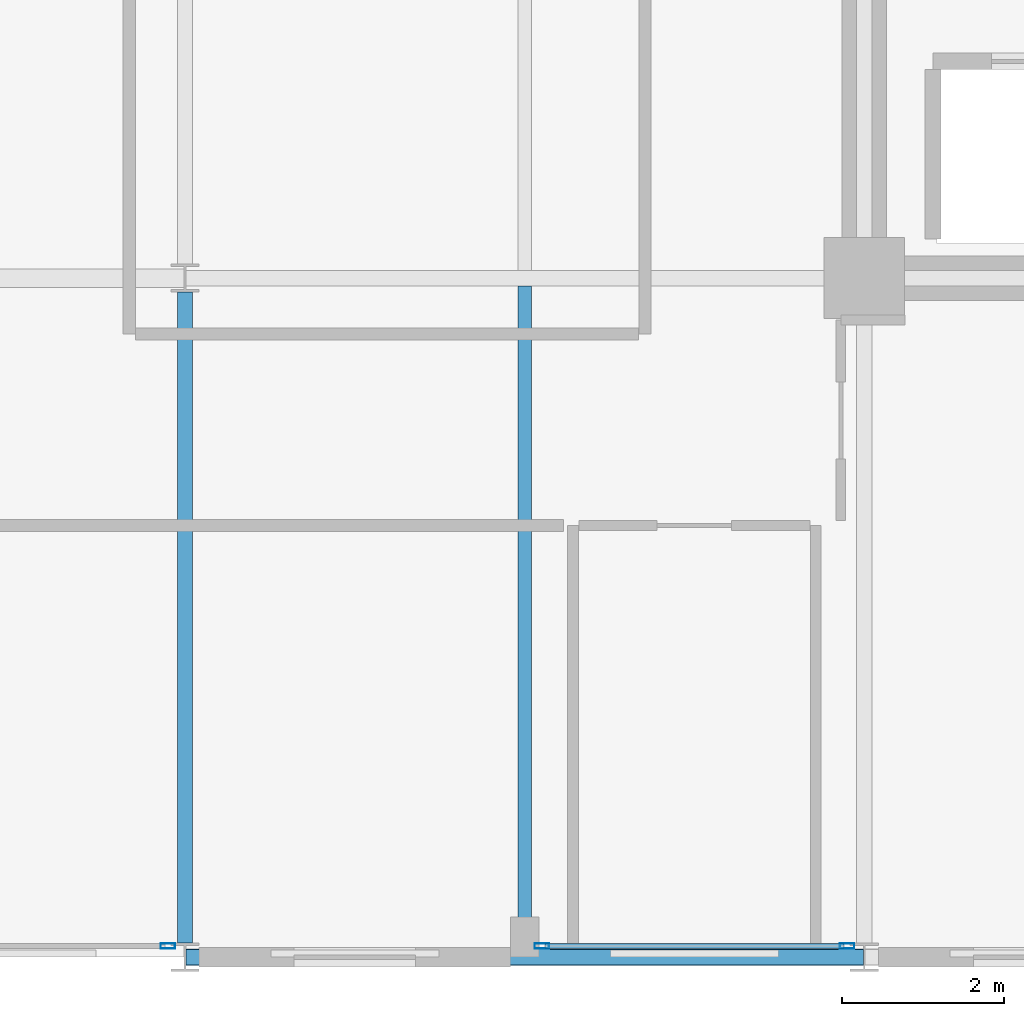
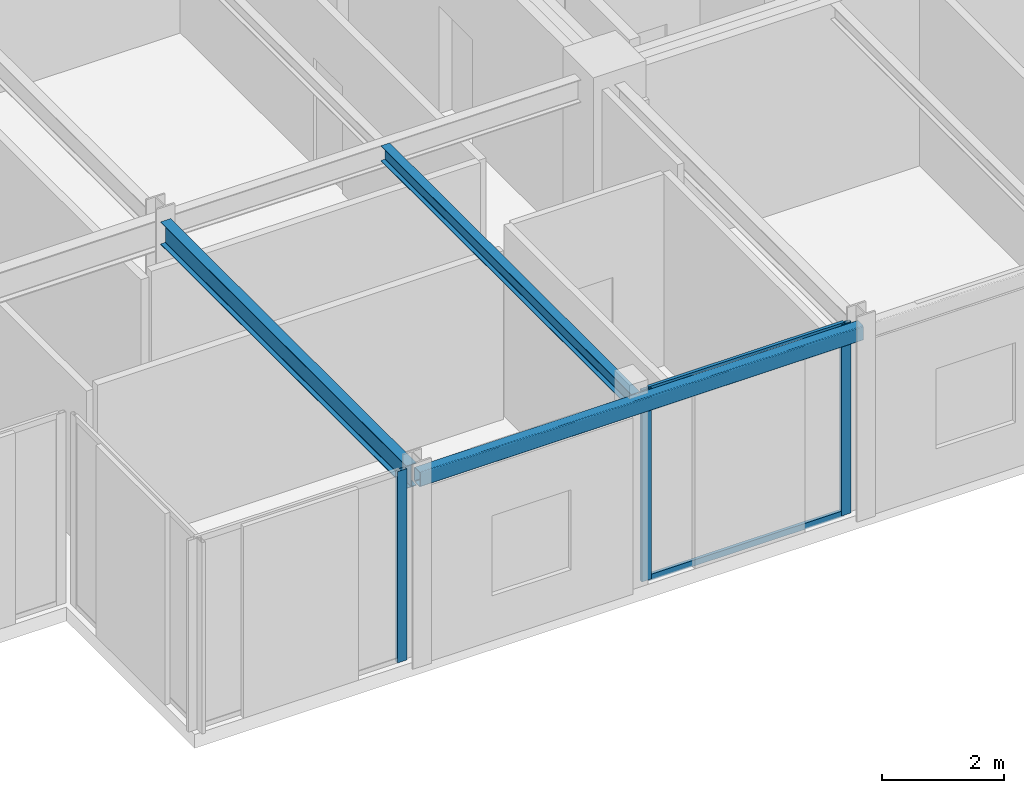
# One storey, part 6 of 29: 5 members, 3 beams, 2 elements without a shape of their own.
"""IFC4 building model written with IfcOpenShell, lengths in metres."""

from ifc_helpers import new_model, si_unit, direction, frame, origin, origin_2d, place, context, subcontext, project, spatial, hollow_rectangle, i_section, extrude, material, layer, layer_set, material_profile, profile_set, type_object, element, aggregate, save


model = new_model("IFC4")

# Units and contexts
model_context = context("Model", 3, precision=1e-05, world=origin(), true_north=direction((0.0, 1.0)))
body_context = subcontext(model_context, "Body", "Model", "MODEL_VIEW")
ifc_project = project(units=[si_unit("LENGTHUNIT", "METRE"), si_unit("AREAUNIT", "SQUARE_METRE"), si_unit("VOLUMEUNIT", "CUBIC_METRE"), si_unit("PLANEANGLEUNIT", "RADIAN"), si_unit("MASSUNIT", "GRAM", prefix="KILO")], contexts=[model_context])

# Site, building, storey
site_placement = place(None, origin())
site = spatial("IfcSite", under=ifc_project, at=site_placement, CompositionType="ELEMENT")
building_placement = place(site_placement, origin())
building = spatial("IfcBuilding", under=site, at=building_placement, Name="Nerrivon Quay Data Exchange", CompositionType="ELEMENT")
storey_placement = place(building_placement, frame((0.0, 0.0, 208.300048828125)))
storey = spatial("IfcBuildingStorey", under=building, at=storey_placement, Name="L49", CompositionType="ELEMENT", Elevation=208.300048828125)

# Beams
ifc_material_1 = material(Name="Steel Grade 350", Category="steel")
ifc_material_profile_1 = material_profile(ifc_material_1, i_section(OverallWidth=0.18994140625, OverallDepth=0.4541015625, WebThickness=0.008544921875, FlangeThickness=0.0126953125, FilletRadius=0.011474609375, at=origin_2d()), Name="460UB67.1")
ifc_profile_set_1 = profile_set([ifc_material_profile_1], Name="Steel Grade 350")
beam_type_1 = type_object("IfcBeamType", Name="BM-G6-460UB67", PredefinedType="BEAM", material=ifc_profile_set_1)
beam_1_placement = place(storey_placement, frame((8.39990234375, 0.175048828125, 3.597900390625), z_axis=(0.0, 1.0, 0.0), x_axis=(-1.0, 0.0, 0.0)))
element("IfcBeam", 1, at=beam_1_placement, inside=storey, type_object=beam_type_1, Name="L49 NS Girder X=8.4 (0.0..8.4)", PredefinedType="BEAM", context=body_context, shape_type="SweptSolid", body=[
    extrude(i_section(OverallWidth=0.18994140625, OverallDepth=0.4541015625, WebThickness=0.008544921875, FlangeThickness=0.0126953125, FilletRadius=0.011474609375, at=origin_2d()), origin(), (0.0, 0.0, 1.0), 8.050048828125),
])
ifc_material_profile_2 = material_profile(ifc_material_1, i_section(OverallWidth=0.166015625, OverallDepth=0.306884765625, WebThickness=0.006591796875, FlangeThickness=0.01171875, FilletRadius=0.011474609375, at=origin_2d()), Name="310UB46.2")
ifc_profile_set_2 = profile_set([ifc_material_profile_2], Name="Steel Grade 350")
beam_type_2 = type_object("IfcBeamType", Name="BM-J5-310UB46", PredefinedType="JOIST", material=ifc_profile_set_2)
beam_2_placement = place(storey_placement, frame((12.60009765625, 0.10009765625, 3.67138671875), z_axis=(0.0, 1.0, 0.0), x_axis=(-1.0, 0.0, 0.0)))
element("IfcBeam", 2, at=beam_2_placement, inside=storey, type_object=beam_type_2, Name="L49 Secondary Joist X=12.6 (0.0..8.4)", PredefinedType="JOIST", context=body_context, shape_type="SweptSolid", body=[
    extrude(i_section(OverallWidth=0.166015625, OverallDepth=0.306884765625, WebThickness=0.006591796875, FlangeThickness=0.01171875, FilletRadius=0.011474609375, at=origin_2d()), origin(), (0.0, 0.0, 1.0), 8.204345703125),
])
ifc_material_2 = material(Name="Steel Grade C350L0 (350 MPa)", Category="steel")
ifc_material_profile_3 = material_profile(ifc_material_2, hollow_rectangle(XDim=0.199951171875, YDim=0.300048828125, WallThickness=0.012451171875, InnerFilletRadius=0.018798828125, OuterFilletRadius=0.03125, at=origin_2d()), Name="300x200x12.5RHS")
ifc_profile_set_3 = profile_set([ifc_material_profile_3], Name="Steel Grade C350L0 (350 MPa)")
beam_type_3 = type_object("IfcBeamType", Name="BM-SP3-300x200RHS", PredefinedType="SPANDREL", material=ifc_profile_set_3)
beam_3_placement = place(storey_placement, frame((8.409912109375, 0.0, 3.675048828125), z_axis=(1.0, 0.0, 0.0), x_axis=(0.0, 1.0, 0.0)))
element("IfcBeam", 3, at=beam_3_placement, inside=storey, type_object=beam_type_3, Name="L49 EW Girder Y=0.0 (8.4..16.8)", PredefinedType="SPANDREL", context=body_context, shape_type="SweptSolid", body=[
    extrude(hollow_rectangle(XDim=0.199951171875, YDim=0.300048828125, WallThickness=0.012451171875, InnerFilletRadius=0.018798828125, OuterFilletRadius=0.03125, at=origin_2d()), origin(), (0.0, 0.0, 1.0), 8.380126953125),
])

# Curtain wall, members
ifc_material_3 = material(Name="Anodised aluminium 6063-T6", Category="aluminium")
ifc_layer = layer(ifc_material_3, 0.195068359375)
ifc_layer_set = layer_set([ifc_layer], Name="Anodised aluminium 6063-T6")
curtain_wall_type = type_object("IfcCurtainWallType", Name="CW-SYS-06", PredefinedType="NOTDEFINED", material=ifc_layer_set)
curtain_wall_1_placement = place(storey_placement, origin())
curtain_wall_1 = element("IfcCurtainWall", 4, at=curtain_wall_1_placement, inside=storey, type_object=curtain_wall_type, Name="L49 Unitised Curtain Wall 26", PredefinedType="NOTDEFINED")
ifc_material_profile_4 = material_profile(ifc_material_3, hollow_rectangle(XDim=0.06494140625, YDim=0.179931640625, WallThickness=0.00341796875, at=origin_2d()), Name="ALU-MULL-180x65")
ifc_profile_set_4 = profile_set([ifc_material_profile_4], Name="Anodised aluminium 6063-T6")
member_type_1 = type_object("IfcMemberType", Name="CWM-180x65", PredefinedType="MULLION", material=ifc_profile_set_4)
member_1_placement = place(storey_placement, frame((16.58740234375, 0.139892578125, 0.0), z_axis=(0.0, 0.0, 1.0), x_axis=(0.0, -1.0, 0.0)))
member_1 = element("IfcMember", 5, at=member_1_placement, type_object=member_type_1, Name="CW06 mullion 1", PredefinedType="MULLION", context=body_context, shape_type="SweptSolid", body=[
    extrude(hollow_rectangle(XDim=0.06494140625, YDim=0.179931640625, WallThickness=0.00341796875, at=origin_2d()), origin(), (0.0, 0.0, 1.0), 3.824951171875),
])
member_2_placement = place(storey_placement, frame((12.8125, 0.139892578125, 0.0), z_axis=(0.0, 0.0, 1.0), x_axis=(0.0, -1.0, 0.0)))
member_2 = element("IfcMember", 6, at=member_2_placement, type_object=member_type_1, Name="CW06 mullion 2", PredefinedType="MULLION", context=body_context, shape_type="SweptSolid", body=[
    extrude(hollow_rectangle(XDim=0.06494140625, YDim=0.179931640625, WallThickness=0.00341796875, at=origin_2d()), origin(), (0.0, 0.0, 1.0), 3.824951171875),
])

# Curtain wall, member
curtain_wall_2_placement = place(storey_placement, origin())
curtain_wall_2 = element("IfcCurtainWall", 7, at=curtain_wall_2_placement, inside=storey, type_object=curtain_wall_type, Name="L49 Unitised Curtain Wall 28", PredefinedType="NOTDEFINED")
member_3_placement = place(storey_placement, frame((8.1875, 0.139892578125, 0.0), z_axis=(0.0, 0.0, 1.0), x_axis=(0.0, -1.0, 0.0)))
member_3 = element("IfcMember", 8, at=member_3_placement, type_object=member_type_1, Name="CW06 mullion 1", PredefinedType="MULLION", context=body_context, shape_type="SweptSolid", body=[
    extrude(hollow_rectangle(XDim=0.06494140625, YDim=0.179931640625, WallThickness=0.00341796875, at=origin_2d()), origin(), (0.0, 0.0, 1.0), 3.824951171875),
])
aggregate(curtain_wall_2, [member_3])

# Member
ifc_material_profile_5 = material_profile(ifc_material_3, hollow_rectangle(XDim=0.06005859375, YDim=0.1201171875, WallThickness=0.003173828125, at=origin_2d()), Name="ALU-TRAN-120x60")
ifc_profile_set_5 = profile_set([ifc_material_profile_5], Name="Anodised aluminium 6063-T6")
member_type_2 = type_object("IfcMemberType", Name="CWT-120x60", PredefinedType="USERDEFINED", material=ifc_profile_set_5)
member_4_placement = place(storey_placement, frame((16.550048828125, 0.139892578125, 0.032470703125), z_axis=(-1.0, 0.0, 0.0), x_axis=(0.0, -1.0, 0.0)))
member_4 = element("IfcMember", 9, at=member_4_placement, type_object=member_type_2, Name="CW06 transom 1.1", ObjectType="TRANSOM", PredefinedType="USERDEFINED", context=body_context, shape_type="SweptSolid", body=[
    extrude(hollow_rectangle(XDim=0.06005859375, YDim=0.1201171875, WallThickness=0.003173828125, at=origin_2d()), origin(), (0.0, 0.0, 1.0), 3.699951171875),
])

member_5_placement = place(storey_placement, frame((16.550048828125, 0.139892578125, 3.79248046875), z_axis=(-1.0, 0.0, 0.0), x_axis=(0.0, -1.0, 0.0)))
member_5 = element("IfcMember", 10, at=member_5_placement, type_object=member_type_2, Name="CW06 transom 1.2", ObjectType="TRANSOM", PredefinedType="USERDEFINED", context=body_context, shape_type="SweptSolid", body=[
    extrude(hollow_rectangle(XDim=0.06005859375, YDim=0.1201171875, WallThickness=0.003173828125, at=origin_2d()), origin(), (0.0, 0.0, 1.0), 3.699951171875),
])

aggregate(curtain_wall_1, [member_1, member_2, member_4, member_5])

save(model, "model.ifc")
